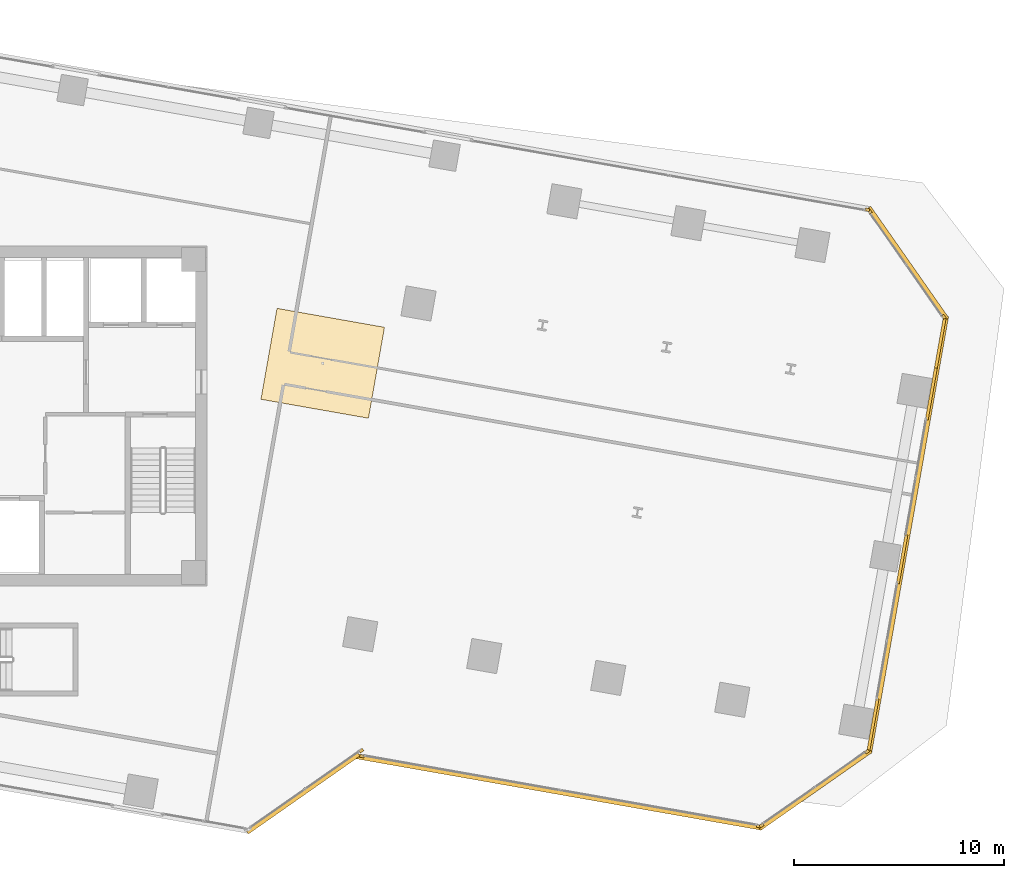
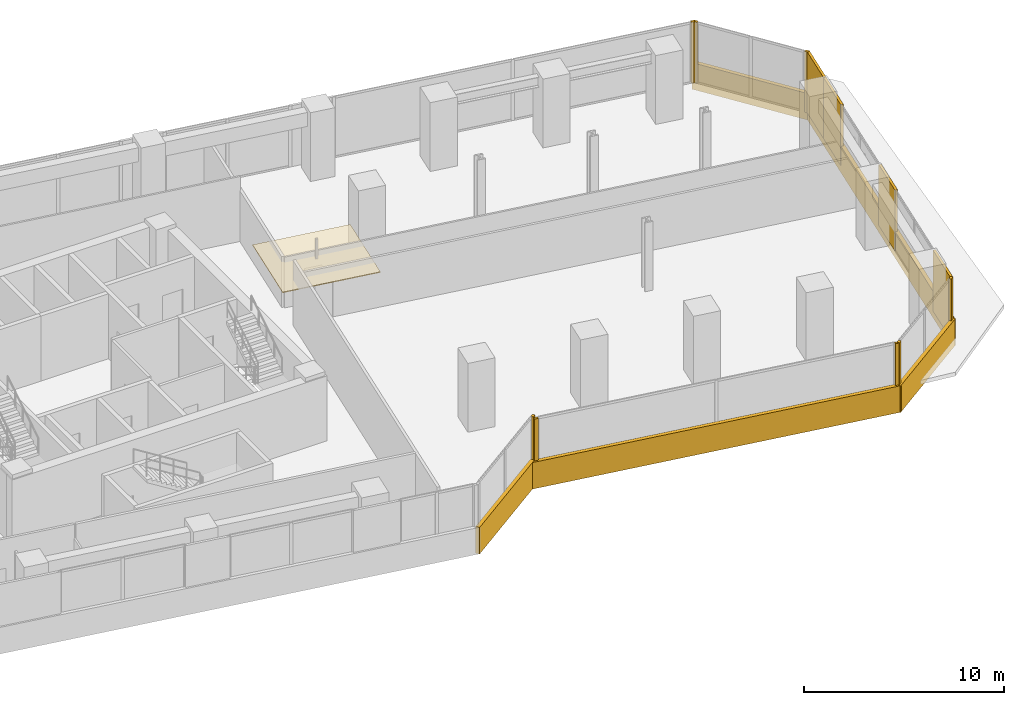
# One storey, part 23 of 24: 18 coverings.
"""IFC4 building model written with IfcOpenShell, lengths in metres."""

from ifc_helpers import new_model, si_unit, direction, frame, origin, origin_2d, place, context, subcontext, project, spatial, polyline, rectangle, outline, extrude, source, transform, mapped, material, layer, layer_set, type_object, element, save


model = new_model("IFC4")

# Units and contexts
model_context = context("Model", 3, precision=1e-05, world=origin(), true_north=direction((0.0, 1.0)))
body_context = subcontext(model_context, "Body", "Model", "MODEL_VIEW")
ifc_project = project(units=[si_unit("LENGTHUNIT", "METRE"), si_unit("AREAUNIT", "SQUARE_METRE"), si_unit("VOLUMEUNIT", "CUBIC_METRE"), si_unit("PLANEANGLEUNIT", "RADIAN"), si_unit("MASSUNIT", "GRAM", prefix="KILO")], contexts=[model_context])

# Site, building, storey
site_placement = place(None, origin())
site = spatial("IfcSite", under=ifc_project, at=site_placement, CompositionType="ELEMENT")
building_placement = place(site_placement, origin())
building = spatial("IfcBuilding", under=site, at=building_placement, Name="Torre Montelarca", CompositionType="ELEMENT")
storey_placement = place(building_placement, frame((0.0, 0.0, 74.800048828125)))
storey = spatial("IfcBuildingStorey", under=building, at=storey_placement, Name="L16", CompositionType="ELEMENT", Elevation=74.800048828125)

# Coverings
ifc_material_1 = material(Name="Micro-perforated walnut timber acoustic slat", Category="wood")
ifc_layer_1 = layer(ifc_material_1, 0.050048828125, Name="Micro-perforated walnut timber acoustic slat", Category="wood")
ifc_layer_set_1 = layer_set([ifc_layer_1], Name="Micro-perforated walnut timber acoustic slat")
covering_type_1 = type_object("IfcCoveringType", Name="COV-CEIL-WD2", PredefinedType="CEILING", material=ifc_layer_set_1)
covering_1_placement = place(storey_placement, frame((0.0, 0.0, 2.719970703125)))
element("IfcCovering", 1, at=covering_1_placement, inside=storey, type_object=covering_type_1, Name="L16 Acoustic Suspended Ceiling 01", PredefinedType="CEILING", context=body_context, shape_type="SweptSolid", body=[
    extrude(outline(polyline([(29.662109375, 32.794921875), (34.782958984375, 31.891845703125), (35.547119140625, 36.224853515625), (30.426025390625, 37.1279296875), (29.662109375, 32.794921875)])), origin(), (0.0, 0.0, 1.0), 0.050048828125),
])
ifc_material_2 = material(Name="Bush-hammered warm white precast concrete C45/55", Category="concrete")
ifc_layer_2 = layer(ifc_material_2, 0.139892578125, Name="Bush-hammered warm white precast concrete C45/55", Category="concrete")
ifc_layer_set_2 = layer_set([ifc_layer_2], Name="Bush-hammered warm white precast concrete C45/55")
covering_type_2 = type_object("IfcCoveringType", Name="COV-TRAY-CLAD", PredefinedType="CLADDING", material=ifc_layer_set_2)
shared_shape_1 = source(origin(), body_context, "Body", "SweptSolid", [
    extrude(rectangle(XDim=6.48388671875, YDim=0.219970703125, at=origin_2d()), origin(), (0.0, 0.0, 1.0), 1.6201171875),
])
for number, where, z_axis, x_axis, name in (
    (2, (31.663330078125, 14.033447265625, -0.4501953125), (0.0, 0.0, 1.0), (0.81914803995, 0.573582155097, 0.0), "L16 Architectural White Spandrel Tray Band TRYBOT-02"),
    (3, (56.062744140625, 14.198974609375, -0.4501953125), (0.0, 0.0, 1.0), (0.819156048588, 0.573570717577, 0.0), "L16 Architectural White Spandrel Tray Band TRYBOT-05"),
    (4, (60.4833984375, 39.269775390625, -0.4501953125), (0.0, 0.0, 1.0), (-0.573570717577, 0.819156048588, 0.0), "L16 Architectural White Spandrel Tray Band TRYBOT-07"),
):
    element("IfcCovering", number, at=place(storey_placement, frame(where, z_axis=z_axis, x_axis=x_axis)), inside=storey, type_object=covering_type_2, Name=name, PredefinedType="CLADDING", context=body_context, shape_type="MappedRepresentation", body=[
        mapped(shared_shape_1, transform((0.0, 0.0, 0.0), scale=1.0)),
    ])
shared_shape_2 = source(origin(), body_context, "Body", "SweptSolid", [
    extrude(rectangle(XDim=21.1201171875, YDim=0.219970703125, at=origin_2d()), origin(), (0.0, 0.0, 1.0), 1.6201171875),
])
covering_2_placement = place(storey_placement, frame((60.480224609375, 26.34521484375, -0.4501953125), z_axis=(0.0, 0.0, 1.0), x_axis=(0.173648177667, 0.984807753012, 0.0)))
element("IfcCovering", 5, at=covering_2_placement, inside=storey, type_object=covering_type_2, Name="L16 Architectural White Spandrel Tray Band TRYBOT-06", PredefinedType="CLADDING", context=body_context, shape_type="MappedRepresentation", body=[
    mapped(shared_shape_2, transform((0.0, 0.0, 0.0), scale=1.0)),
])
shared_shape_3 = source(origin(), body_context, "Body", "SweptSolid", [
    extrude(rectangle(XDim=19.6201171875, YDim=0.219970703125, at=origin_2d()), origin(), (0.0, 0.0, 1.0), 1.6201171875),
])
covering_3_placement = place(storey_placement, frame((43.876708984375, 14.072021484375, -0.4501953125), z_axis=(0.0, 0.0, 1.0), x_axis=(0.98480714686, -0.173651615293, 0.0)))
element("IfcCovering", 6, at=covering_3_placement, inside=storey, type_object=covering_type_2, Name="L16 Architectural White Spandrel Tray Band TRYBOT-04", PredefinedType="CLADDING", context=body_context, shape_type="MappedRepresentation", body=[
    mapped(shared_shape_3, transform((0.0, 0.0, 0.0), scale=1.0)),
])
shared_shape_4 = source(origin(), body_context, "Body", "SweptSolid", [
    extrude(rectangle(XDim=0.199951171875, YDim=0.139892578125, at=origin_2d()), origin(), (0.0, 0.0, 1.0), 3.719970703125),
])
for number, where, z_axis, x_axis, name in (
    (7, (34.44189453125, 16.05224609375, 0.0), (0.0, 0.0, 1.0), (0.819155047517, 0.573572147273, 0.0), "L16 Architectural Column Pier Cladding E02-2"),
    (8, (34.474365234375, 15.790771484375, 0.0), (0.0, 0.0, 1.0), (0.984808056084, -0.173646458853, 0.0), "L16 Architectural Column Pier Cladding E04-1"),
    (9, (53.375, 12.4580078125, 0.0), (0.0, 0.0, 1.0), (0.984808056084, -0.173646458853, 0.0), "L16 Architectural Column Pier Cladding E04-2"),
    (10, (53.5166015625, 12.489501953125, 0.0), (0.0, 0.0, 1.0), (0.819165058115, 0.573557850233, 0.0), "L16 Architectural Column Pier Cladding E05-1"),
    (11, (58.5400390625, 16.0068359375, 0.0), (0.0, 0.0, 1.0), (0.819165058115, 0.573557850233, 0.0), "L16 Architectural Column Pier Cladding E05-2"),
    (12, (62.19287109375, 36.7236328125, 0.0), (0.0, 0.0, 1.0), (-0.573557850233, 0.819165058115, 0.0), "L16 Architectural Column Pier Cladding E07-1"),
    (13, (58.675537109375, 41.7470703125, 0.0), (0.0, 0.0, 1.0), (-0.573557850233, 0.819165058115, 0.0), "L16 Architectural Column Pier Cladding E07-2"),
    (14, (58.55322265625, 41.8251953125, 0.0), (0.0, 0.0, 1.0), (-0.984808056084, 0.173646458853, 0.0), "L16 Architectural Column Pier Cladding E08-1"),
):
    element("IfcCovering", number, at=place(storey_placement, frame(where, z_axis=z_axis, x_axis=x_axis)), inside=storey, type_object=covering_type_2, Name=name, PredefinedType="CLADDING", context=body_context, shape_type="MappedRepresentation", body=[
        mapped(shared_shape_4, transform((0.0, 0.0, 0.0), scale=1.0)),
    ])
shared_shape_5 = source(origin(), body_context, "Body", "SweptSolid", [
    extrude(rectangle(XDim=2.360107421875, YDim=0.139892578125, at=origin_2d()), origin(), (0.0, 0.0, 1.0), 3.719970703125),
])
covering_4_placement = place(storey_placement, frame((60.212890625, 25.173828125, 0.0), z_axis=(0.0, 0.0, 1.0), x_axis=(0.173646458853, 0.984808056084, 0.0)))
element("IfcCovering", 15, at=covering_4_placement, inside=storey, type_object=covering_type_2, Name="L16 Architectural Column Pier Cladding E06-2", PredefinedType="CLADDING", context=body_context, shape_type="MappedRepresentation", body=[
    mapped(shared_shape_5, transform((0.0, 0.0, 0.0), scale=1.0)),
])
shared_shape_6 = source(origin(), body_context, "Body", "SweptSolid", [
    extrude(rectangle(XDim=2.510009765625, YDim=0.139892578125, at=origin_2d()), origin(), (0.0, 0.0, 1.0), 3.719970703125),
])
covering_5_placement = place(storey_placement, frame((61.601806640625, 33.052490234375, 0.0), z_axis=(0.0, 0.0, 1.0), x_axis=(0.173646458853, 0.984808056084, 0.0)))
element("IfcCovering", 16, at=covering_5_placement, inside=storey, type_object=covering_type_2, Name="L16 Architectural Column Pier Cladding E06-3", PredefinedType="CLADDING", context=body_context, shape_type="MappedRepresentation", body=[
    mapped(shared_shape_6, transform((0.0, 0.0, 0.0), scale=1.0)),
])
shared_shape_7 = source(origin(), body_context, "Body", "SweptSolid", [
    extrude(rectangle(XDim=2.539306640625, YDim=0.139892578125, at=origin_2d()), origin(), (0.0, 0.0, 1.0), 3.719970703125),
])
covering_6_placement = place(storey_placement, frame((58.821044921875, 17.281005859375, 0.0), z_axis=(0.0, 0.0, 1.0), x_axis=(0.173646458853, 0.984808056084, 0.0)))
element("IfcCovering", 17, at=covering_6_placement, inside=storey, type_object=covering_type_2, Name="L16 Architectural Column Pier Cladding E06-1", PredefinedType="CLADDING", context=body_context, shape_type="MappedRepresentation", body=[
    mapped(shared_shape_7, transform((0.0, 0.0, 0.0), scale=1.0)),
])
shared_shape_8 = source(origin(), body_context, "Body", "SweptSolid", [
    extrude(rectangle(XDim=2.529052734375, YDim=0.139892578125, at=origin_2d()), origin(), (0.0, 0.0, 1.0), 3.719970703125),
])
covering_7_placement = place(storey_placement, frame((62.022216796875, 35.435302734375, 0.0), z_axis=(0.0, 0.0, 1.0), x_axis=(0.173646458853, 0.984808056084, 0.0)))
element("IfcCovering", 18, at=covering_7_placement, inside=storey, type_object=covering_type_2, Name="L16 Architectural Column Pier Cladding E06-4", PredefinedType="CLADDING", context=body_context, shape_type="MappedRepresentation", body=[
    mapped(shared_shape_8, transform((0.0, 0.0, 0.0), scale=1.0)),
])

save(model, "model.ifc")
